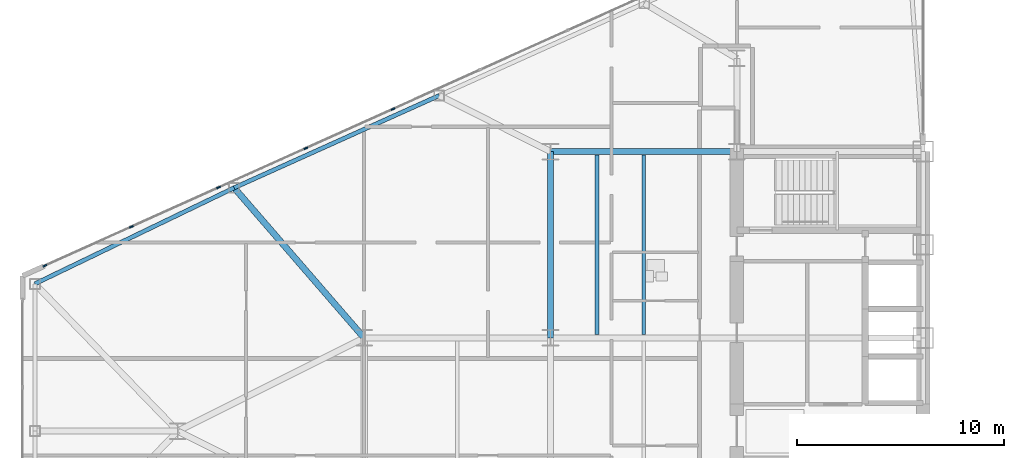
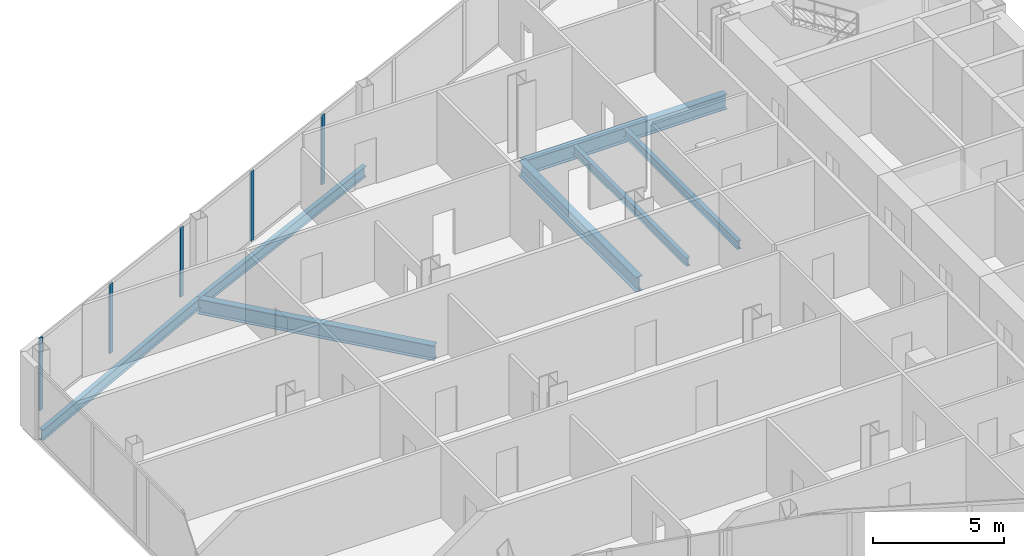
# One storey, part 7 of 27: 7 beams, 5 members, 1 element without a shape of its own.
"""IFC4 building model written with IfcOpenShell, lengths in metres."""

import ifcopenshell
import ifcopenshell.guid

model = None  # the IFC model being written
_history = None  # IfcOwnerHistory: only IFC2X3 demands one
_inside = {}  # id of a spatial element -> (the spatial element, [elements in it])
_under = {}  # id of a project, library or spatial element -> (it, [spatial elements below it])
_declared = {}  # id of a project -> (the project, [libraries it declares])
_typed = {}  # id of a type object -> (the type object, [elements of that type])
_made_of = {}  # id of a material, layer set ... -> (it, [elements and type objects made of it])


def new_model(schema):
    """Start an empty IFC model of exactly this schema.

    Asked for "IFC4X3", IfcOpenShell would pick the latest addendum, in which some entities
    have other attributes; the version numbers below select the first issue.
    IFC2X3 requires an IfcOwnerHistory on every rooted entity: one is made here for all.
    """
    global model, _history
    if schema == "IFC4X3":
        model = ifcopenshell.file(schema_version=(4, 3, 0, 0))
    else:
        model = ifcopenshell.file(schema=schema)
    _inside.clear()
    _under.clear()
    _declared.clear()
    _typed.clear()
    _made_of.clear()
    _history = None
    if model.schema == "IFC2X3":
        org = make("IfcOrganization", Name="unknown")
        user = make(
            "IfcPersonAndOrganization",
            ThePerson=make("IfcPerson", FamilyName="unknown"),
            TheOrganization=org,
        )
        app = make(
            "IfcApplication",
            ApplicationDeveloper=org,
            Version="unknown",
            ApplicationFullName="unknown",
            ApplicationIdentifier="unknown",
        )
        _history = make(
            "IfcOwnerHistory",
            OwningUser=user,
            OwningApplication=app,
            ChangeAction="ADDED",
            CreationDate=0,
        )
    return model


def make(cls, **values):
    """One entity of the class cls with the attributes given. An attribute that is None is left unset."""
    return model.create_entity(
        cls, **{name: value for name, value in values.items() if value is not None}
    )


def rooted(cls, **values):
    """An entity with a GlobalId (a new one), such as an element, a storey or a relation."""
    return make(cls, GlobalId=ifcopenshell.guid.new(), OwnerHistory=_history, **values)


def si_unit(unit_type, name, prefix=None):
    """IfcSIUnit, for example si_unit("LENGTHUNIT", "METRE", prefix="MILLI")."""
    return make("IfcSIUnit", UnitType=unit_type, Prefix=prefix, Name=name)


def assignment(units):
    """IfcUnitAssignment: the units of a project."""
    return None if units is None else make("IfcUnitAssignment", Units=units)


def point(xyz):
    """IfcCartesianPoint."""
    return None if xyz is None else make("IfcCartesianPoint", Coordinates=xyz)


def direction(xyz):
    """IfcDirection."""
    return None if xyz is None else make("IfcDirection", DirectionRatios=xyz)


def frame(location, z_axis=None, x_axis=None):
    """IfcAxis2Placement3D, a coordinate frame: its origin and axes. An axis left out is left unset."""
    return make(
        "IfcAxis2Placement3D",
        Location=point(location),
        Axis=direction(z_axis),
        RefDirection=direction(x_axis),
    )


def frame_2d(location, x_axis=None):
    """IfcAxis2Placement2D, a coordinate frame in the plane: its origin and x axis."""
    return make(
        "IfcAxis2Placement2D", Location=point(location), RefDirection=direction(x_axis)
    )


def origin():
    """The frame at (0, 0, 0) with its axes left unset."""
    return frame((0.0, 0.0, 0.0))


def origin_2d():
    """The frame at (0, 0) in the plane with its x axis left unset."""
    return frame_2d((0.0, 0.0))


def place(relative_to, where):
    """IfcLocalPlacement: puts the frame where relative to a parent placement (None: the world)."""
    return make(
        "IfcLocalPlacement", PlacementRelTo=relative_to, RelativePlacement=where
    )


def context(
    kind, dimensions, precision=None, world=None, true_north=None, identifier=None
):
    """IfcGeometricRepresentationContext, for example the 3D "Model" context."""
    return make(
        "IfcGeometricRepresentationContext",
        ContextIdentifier=identifier,
        ContextType=kind,
        CoordinateSpaceDimension=dimensions,
        Precision=precision,
        WorldCoordinateSystem=world,
        TrueNorth=true_north,
    )


def subcontext(parent, identifier, kind, view, scale=None):
    """IfcGeometricRepresentationSubContext, for example "Body" below "Model"."""
    return make(
        "IfcGeometricRepresentationSubContext",
        ContextIdentifier=identifier,
        ContextType=kind,
        ParentContext=parent,
        TargetScale=scale,
        TargetView=view,
    )


def project(units=None, contexts=None):
    """IfcProject with its units and contexts."""
    return rooted(
        "IfcProject",
        Name="project",
        RepresentationContexts=contexts,
        UnitsInContext=assignment(units),
    )


def spatial(cls, under=None, at=None, **own):
    """A site, building, storey or space (cls), placed at a placement, below another one or the project."""
    s = rooted(cls, ObjectPlacement=at, **own)
    if under is not None:
        _under.setdefault(under.id(), (under, []))[1].append(s)
    return s


def profile(cls, at=None, kind="AREA", **sizes):
    """A parametric profile (cls). Its sizes go by their IFC names, for example OverallWidth=200.0."""
    return make(cls, ProfileType=kind, Position=at, **sizes)


def rectangle(**sizes):
    """IfcRectangleProfileDef."""
    return profile("IfcRectangleProfileDef", **sizes)


def i_section(**sizes):
    """IfcIShapeProfileDef."""
    return profile("IfcIShapeProfileDef", **sizes)


def extrude(swept, where, along, depth):
    """IfcExtrudedAreaSolid: the profile swept, set in the frame where, extruded along a direction by depth."""
    return make(
        "IfcExtrudedAreaSolid",
        SweptArea=swept,
        Position=where,
        ExtrudedDirection=direction(along),
        Depth=depth,
    )


def shape(context_of_items, identifier, shape_type, items):
    """IfcShapeRepresentation: the items that make up one representation, for example the "Body"."""
    return make(
        "IfcShapeRepresentation",
        ContextOfItems=context_of_items,
        RepresentationIdentifier=identifier,
        RepresentationType=shape_type,
        Items=items,
    )


def source(mapping_origin, context_of_items, identifier, shape_type, items):
    """IfcRepresentationMap: a shape defined once, which mapped items show again and again."""
    return make(
        "IfcRepresentationMap",
        MappingOrigin=mapping_origin,
        MappedRepresentation=shape(context_of_items, identifier, shape_type, items),
    )


def transform(
    local_origin,
    x_axis=None,
    y_axis=None,
    z_axis=None,
    scale=None,
    scale2=None,
    scale3=None,
    uniform=True,
):
    """IfcCartesianTransformationOperator3D, or its non-uniform kind. x_axis, y_axis, z_axis: its Axis1, 2, 3."""
    if uniform:
        return make(
            "IfcCartesianTransformationOperator3D",
            Axis1=direction(x_axis),
            Axis2=direction(y_axis),
            LocalOrigin=point(local_origin),
            Scale=scale,
            Axis3=direction(z_axis),
        )
    return make(
        "IfcCartesianTransformationOperator3DnonUniform",
        Axis1=direction(x_axis),
        Axis2=direction(y_axis),
        LocalOrigin=point(local_origin),
        Scale=scale,
        Axis3=direction(z_axis),
        Scale2=scale2,
        Scale3=scale3,
    )


def mapped(mapping_source, mapping_target):
    """IfcMappedItem: shows the shape of a source again, moved by a transform."""
    return make(
        "IfcMappedItem", MappingSource=mapping_source, MappingTarget=mapping_target
    )


def material(Name=None, Category=None):
    """IfcMaterial."""
    return make("IfcMaterial", Name=Name, Category=Category)


def layer(
    of_material, thickness, ventilated=None, Name=None, Category=None, Priority=None
):
    """IfcMaterialLayer: one layer of a wall or slab, of a material (None: an air gap)."""
    return make(
        "IfcMaterialLayer",
        Material=of_material,
        LayerThickness=thickness,
        IsVentilated=ventilated,
        Name=Name,
        Category=Category,
        Priority=Priority,
    )


def layer_set(layers, Name=None):
    """IfcMaterialLayerSet."""
    return make("IfcMaterialLayerSet", MaterialLayers=layers, LayerSetName=Name)


def material_profile(
    of_material, cross_section, Name=None, Category=None, Priority=None
):
    """IfcMaterialProfile: a cross section and its material."""
    return make(
        "IfcMaterialProfile",
        Name=Name,
        Material=of_material,
        Profile=cross_section,
        Priority=Priority,
        Category=Category,
    )


def profile_set(profiles, Name=None, composite=None):
    """IfcMaterialProfileSet."""
    return make(
        "IfcMaterialProfileSet",
        Name=Name,
        MaterialProfiles=profiles,
        CompositeProfile=composite,
    )


def made_of(thing, what):
    """Note that an element or type object is made of a material, layer set ...; save() writes the relation."""
    if what is not None:
        _made_of.setdefault(what.id(), (what, []))[1].append(thing)
    return thing


def type_object(cls, material=None, **own):
    """A type object (cls), such as IfcWallType, which elements share."""
    return made_of(rooted(cls, **own), material)


def type_shapes(of_type, sources):
    """Give a type object the sources (RepresentationMaps) that its elements show as mapped items."""
    of_type.RepresentationMaps = sources


def element(
    cls,
    number,
    at=None,
    inside=None,
    cuts=None,
    type_object=None,
    material=None,
    context=None,
    identifier="Body",
    shape_type=None,
    held_by="IfcProductDefinitionShape",
    body=None,
    shapes=None,
    **own,
):
    """One element of the class cls, such as IfcWall. Its Tag is "e" and its number.

    at: its placement. inside: the storey or other place that contains it. cuts: it is an
    opening in that element (IfcRelVoidsElement). A single representation is given by context,
    identifier, shape_type and body (its items); several are given by shapes. held_by: the class
    of the entity that holds the representations. save() writes the other relations.
    """
    e = rooted(cls, Tag="e%d" % number, ObjectPlacement=at, **own)
    if body is not None:
        shapes = [shape(context, identifier, shape_type, body)]
    if shapes is not None:
        e.Representation = make(held_by, Representations=shapes)
    if inside is not None:
        _inside.setdefault(inside.id(), (inside, []))[1].append(e)
    if cuts is not None:
        rooted(
            "IfcRelVoidsElement", RelatingBuildingElement=cuts, RelatedOpeningElement=e
        )
    if type_object is not None:
        _typed.setdefault(type_object.id(), (type_object, []))[1].append(e)
    return made_of(e, material)


def aggregate(whole, parts):
    """IfcRelAggregates: a whole, such as a stair, and the parts it consists of."""
    return rooted("IfcRelAggregates", RelatingObject=whole, RelatedObjects=parts)


def save(model, path):
    """Write the relations noted so far, then the file.

    IfcRelAggregates (storeys below a building ...), IfcRelContainedInSpatialStructure (elements
    in a storey), IfcRelDefinesByType, IfcRelAssociatesMaterial and IfcRelDeclares: one each for
    every whole, place, type object, material and project.
    """
    for whole, parts in _under.values():
        aggregate(whole, parts)
    for where, things in _inside.values():
        rooted(
            "IfcRelContainedInSpatialStructure",
            RelatedElements=things,
            RelatingStructure=where,
        )
    for kind, things in _typed.values():
        rooted("IfcRelDefinesByType", RelatedObjects=things, RelatingType=kind)
    for what, things in _made_of.values():
        rooted("IfcRelAssociatesMaterial", RelatedObjects=things, RelatingMaterial=what)
    for by, libraries in _declared.values():
        rooted("IfcRelDeclares", RelatingContext=by, RelatedDefinitions=libraries)
    model.write(path)


model = new_model("IFC4")

# Units and contexts
model_context = context("Model", 3, precision=1e-05, world=origin(), true_north=direction((0.0, 1.0)))
body_context = subcontext(model_context, "Body", "Model", "MODEL_VIEW")
ifc_project = project(units=[si_unit("LENGTHUNIT", "METRE"), si_unit("AREAUNIT", "SQUARE_METRE"), si_unit("VOLUMEUNIT", "CUBIC_METRE"), si_unit("PLANEANGLEUNIT", "RADIAN"), si_unit("MASSUNIT", "GRAM", prefix="KILO")], contexts=[model_context])

# Site, building, storey
site_placement = place(None, origin())
site = spatial("IfcSite", under=ifc_project, at=site_placement, CompositionType="ELEMENT")
building_placement = place(site_placement, origin())
building = spatial("IfcBuilding", under=site, at=building_placement, Name="Seokmaru Belvedere", CompositionType="ELEMENT")
storey_placement = place(building_placement, frame((0.0, 0.0, 106.800048828125)))
storey = spatial("IfcBuildingStorey", under=building, at=storey_placement, Name="L28", CompositionType="ELEMENT", Elevation=106.800048828125)

# Beams
ifc_material_1 = material(Name="Steel SM355 (355 MPa)", Category="steel")
ifc_material_profile_1 = material_profile(ifc_material_1, i_section(OverallWidth=0.300048828125, OverallDepth=0.699951171875, WebThickness=0.012939453125, FlangeThickness=0.02392578125, at=origin_2d()), Name="H-700x300x13x24")
ifc_profile_set_1 = profile_set([ifc_material_profile_1], Name="Steel SM355 (355 MPa)")
beam_type_1 = type_object("IfcBeamType", Name="Primary Floor Girder H-700", PredefinedType="BEAM", material=ifc_profile_set_1)
shared_shape_1 = source(origin(), body_context, "Body", "SweptSolid", [
    extrude(i_section(OverallWidth=0.300048828125, OverallDepth=0.699951171875, WebThickness=0.012939453125, FlangeThickness=0.02392578125, at=origin_2d()), origin(), (0.0, 0.0, 1.0), 9.0),
])
for number, where, z_axis, x_axis, name in (
    (1, (-45.5, 4.5, -0.570068359375), (0.0, 1.0, 0.0), (-1.0, 0.0, 0.0), "L28 W Interior Grid Girder 3"),
    (2, (-45.5, 13.5, -0.570068359375), (1.0, 0.0, 0.0), (0.0, 1.0, 0.0), "L28 W Wing Primary Girder 4"),
):
    element("IfcBeam", number, at=place(storey_placement, frame(where, z_axis=z_axis, x_axis=x_axis)), inside=storey, type_object=beam_type_1, Name=name, PredefinedType="BEAM", context=body_context, shape_type="MappedRepresentation", body=[
        mapped(shared_shape_1, transform((0.0, 0.0, 0.0), scale=1.0)),
    ])
ifc_material_profile_2 = material_profile(ifc_material_1, i_section(OverallWidth=0.18505859375, OverallDepth=0.389892578125, WebThickness=0.008056640625, FlangeThickness=0.011962890625, at=origin_2d()), Name="H-390x185x8x12")
ifc_profile_set_2 = profile_set([ifc_material_profile_2], Name="Steel SM355 (355 MPa)")
beam_type_2 = type_object("IfcBeamType", Name="Secondary Floor Joist H-350", PredefinedType="JOIST", material=ifc_profile_set_2)
shared_shape_2 = source(origin(), body_context, "Body", "SweptSolid", [
    extrude(i_section(OverallWidth=0.18505859375, OverallDepth=0.389892578125, WebThickness=0.008056640625, FlangeThickness=0.011962890625, at=origin_2d()), origin(), (0.0, 0.0, 1.0), 8.68994140625),
])
type_shapes(beam_type_2, [shared_shape_2])
for number, where, z_axis, x_axis, name in (
    (3, (-43.25, 4.655029296875, -0.4150390625), (0.0, 1.0, 0.0), (-1.0, 0.0, 0.0), "L28 W Wing Inner Secondary Joist 2"),
    (4, (-41.0, 4.655029296875, -0.4150390625), (0.0, 1.0, 0.0), (-1.0, 0.0, 0.0), "L28 W Secondary Floor Joist 3"),
):
    element("IfcBeam", number, at=place(storey_placement, frame(where, z_axis=z_axis, x_axis=x_axis)), inside=storey, type_object=beam_type_2, Name=name, PredefinedType="JOIST", context=body_context, shape_type="MappedRepresentation", body=[
        mapped(shared_shape_2, transform((0.0, 0.0, 0.0), scale=1.0)),
    ])
ifc_material_profile_3 = material_profile(ifc_material_1, i_section(OverallWidth=0.199951171875, OverallDepth=0.5, WebThickness=0.010009765625, FlangeThickness=0.01611328125, at=origin_2d()), Name="H-500x200x10x16")
ifc_profile_set_3 = profile_set([ifc_material_profile_3], Name="Steel SM355 (355 MPa)")
beam_type_3 = type_object("IfcBeamType", Name="Perimeter Spandrel Beam H-500", PredefinedType="SPANDREL", material=ifc_profile_set_3)
shared_shape_3 = source(origin(), body_context, "Body", "SweptSolid", [
    extrude(i_section(OverallWidth=0.199951171875, OverallDepth=0.5, WebThickness=0.010009765625, FlangeThickness=0.01611328125, at=origin_2d()), origin(), (0.0, 0.0, 1.0), 10.85888671875),
])
beam_1_placement = place(storey_placement, frame((-50.875, 16.205322265625, -0.469970703125), z_axis=(-0.911925291223, -0.410356263785, 0.0), x_axis=(0.410356263785, -0.911925291223, 0.0)))
element("IfcBeam", 5, at=beam_1_placement, inside=storey, type_object=beam_type_3, Name="L28 W Faceted Flank Spandrel N-3", PredefinedType="SPANDREL", context=body_context, shape_type="MappedRepresentation", body=[
    mapped(shared_shape_3, transform((0.0, 0.0, 0.0), scale=1.0)),
])
shared_shape_4 = source(origin(), body_context, "Body", "SweptSolid", [
    extrude(i_section(OverallWidth=0.199951171875, OverallDepth=0.5, WebThickness=0.010009765625, FlangeThickness=0.01611328125, at=origin_2d()), origin(), (0.0, 0.0, 1.0), 10.681396484375),
])
type_shapes(beam_type_3, [shared_shape_3, shared_shape_4])
beam_2_placement = place(storey_placement, frame((-60.777587890625, 11.749267578125, -0.469970703125), z_axis=(-0.900846426616, -0.434137899352, 0.0), x_axis=(0.434137899352, -0.900846426616, 0.0)))
element("IfcBeam", 6, at=beam_2_placement, inside=storey, type_object=beam_type_3, Name="L28 W Faceted Flank Spandrel N-4", PredefinedType="SPANDREL", context=body_context, shape_type="MappedRepresentation", body=[
    mapped(shared_shape_4, transform((0.0, 0.0, 0.0), scale=1.0)),
])
shared_shape_5 = source(origin(), body_context, "Body", "SweptSolid", [
    extrude(i_section(OverallWidth=0.300048828125, OverallDepth=0.699951171875, WebThickness=0.012939453125, FlangeThickness=0.02392578125, at=origin_2d()), origin(), (0.0, 0.0, 1.0), 9.589599609375),
])
type_shapes(beam_type_1, [shared_shape_1, shared_shape_5])
beam_3_placement = place(storey_placement, frame((-60.777587890625, 11.749267578125, -0.570068359375), z_axis=(0.654626140929, -0.755952786629, 0.0), x_axis=(0.755952786629, 0.654626140929, 0.0)))
element("IfcBeam", 7, at=beam_3_placement, inside=storey, type_object=beam_type_1, Name="L28 W Flank Radial Floor Girder N-3", PredefinedType="BEAM", context=body_context, shape_type="MappedRepresentation", body=[
    mapped(shared_shape_5, transform((0.0, 0.0, 0.0), scale=1.0)),
])

# Curtain wall, members
ifc_material_2 = material(Name="Bronze Triple Insulating Glass", Category="glass")
ifc_layer = layer(ifc_material_2, 0.195068359375)
ifc_layer_set = layer_set([ifc_layer], Name="Bronze Triple Insulating Glass")
curtain_wall_type = type_object("IfcCurtainWallType", Name="Lower-Mid Tapered Curtain Wall System CW-3", PredefinedType="NOTDEFINED", material=ifc_layer_set)
curtain_wall_placement = place(storey_placement, origin())
curtain_wall = element("IfcCurtainWall", 8, at=curtain_wall_placement, inside=storey, type_object=curtain_wall_type, Name="L28 Curtain Wall WF3", PredefinedType="NOTDEFINED")
ifc_material_3 = material(Name="Anodised Bronze Aluminium", Category="aluminium")
ifc_material_profile_4 = material_profile(ifc_material_3, rectangle(XDim=0.070068359375, YDim=0.195068359375, at=origin_2d()), Name="CW-M-70x195")
ifc_profile_set_4 = profile_set([ifc_material_profile_4], Name="Anodised Bronze Aluminium")
member_type = type_object("IfcMemberType", Name="Bronze Unitised Mullion 70x195", PredefinedType="MULLION", material=ifc_profile_set_4)
shared_shape_6 = source(origin(), body_context, "Body", "SweptSolid", [
    extrude(rectangle(XDim=0.070068359375, YDim=0.195068359375, at=origin_2d()), origin(), (0.0, 0.0, 1.0), 3.3798828125),
])
member_1_placement = place(storey_placement, frame((-69.91943359375, 7.986328125, 0.0), z_axis=(0.0, 0.0, 1.0), x_axis=(0.41036554765, -0.91192111353, 0.0)))
member_1 = element("IfcMember", 9, at=member_1_placement, type_object=member_type, Name="CW:L28:WF3 Mullion 10", PredefinedType="MULLION", context=body_context, shape_type="MappedRepresentation", body=[
    mapped(shared_shape_6, transform((0.0, 0.0, 0.0), scale=1.0)),
])
shared_shape_7 = source(origin(), body_context, "Body", "SweptSolid", [
    extrude(rectangle(XDim=0.070068359375, YDim=0.195068359375, at=origin_2d()), origin(), (0.0, 0.0, 1.0), 3.239990234375),
])
type_shapes(member_type, [shared_shape_6, shared_shape_7])
member_2_placement = place(storey_placement, frame((-53.105712890625, 15.552490234375, 0.070068359375), z_axis=(0.0, 0.0, 1.0), x_axis=(0.41036554765, -0.91192111353, 0.0)))
member_2 = element("IfcMember", 10, at=member_2_placement, type_object=member_type, Name="CW:L28:WF3 Mullion 6", PredefinedType="MULLION", context=body_context, shape_type="MappedRepresentation", body=[
    mapped(shared_shape_7, transform((0.0, 0.0, 0.0), scale=1.0)),
])
member_3_placement = place(storey_placement, frame((-57.317138671875, 13.6572265625, 0.070068359375), z_axis=(0.0, 0.0, 1.0), x_axis=(0.41036554765, -0.91192111353, 0.0)))
member_3 = element("IfcMember", 11, at=member_3_placement, type_object=member_type, Name="CW:L28:WF3 Mullion 7", PredefinedType="MULLION", context=body_context, shape_type="MappedRepresentation", body=[
    mapped(shared_shape_7, transform((0.0, 0.0, 0.0), scale=1.0)),
])
member_4_placement = place(storey_placement, frame((-61.528564453125, 11.76220703125, 0.070068359375), z_axis=(0.0, 0.0, 1.0), x_axis=(0.41036554765, -0.91192111353, 0.0)))
member_4 = element("IfcMember", 12, at=member_4_placement, type_object=member_type, Name="CW:L28:WF3 Mullion 8", PredefinedType="MULLION", context=body_context, shape_type="MappedRepresentation", body=[
    mapped(shared_shape_7, transform((0.0, 0.0, 0.0), scale=1.0)),
])
member_5_placement = place(storey_placement, frame((-65.739990234375, 9.866943359375, 0.070068359375), z_axis=(0.0, 0.0, 1.0), x_axis=(0.41036554765, -0.91192111353, 0.0)))
member_5 = element("IfcMember", 13, at=member_5_placement, type_object=member_type, Name="CW:L28:WF3 Mullion 9", PredefinedType="MULLION", context=body_context, shape_type="MappedRepresentation", body=[
    mapped(shared_shape_7, transform((0.0, 0.0, 0.0), scale=1.0)),
])
aggregate(curtain_wall, [member_2, member_3, member_4, member_5, member_1])

save(model, "model.ifc")
